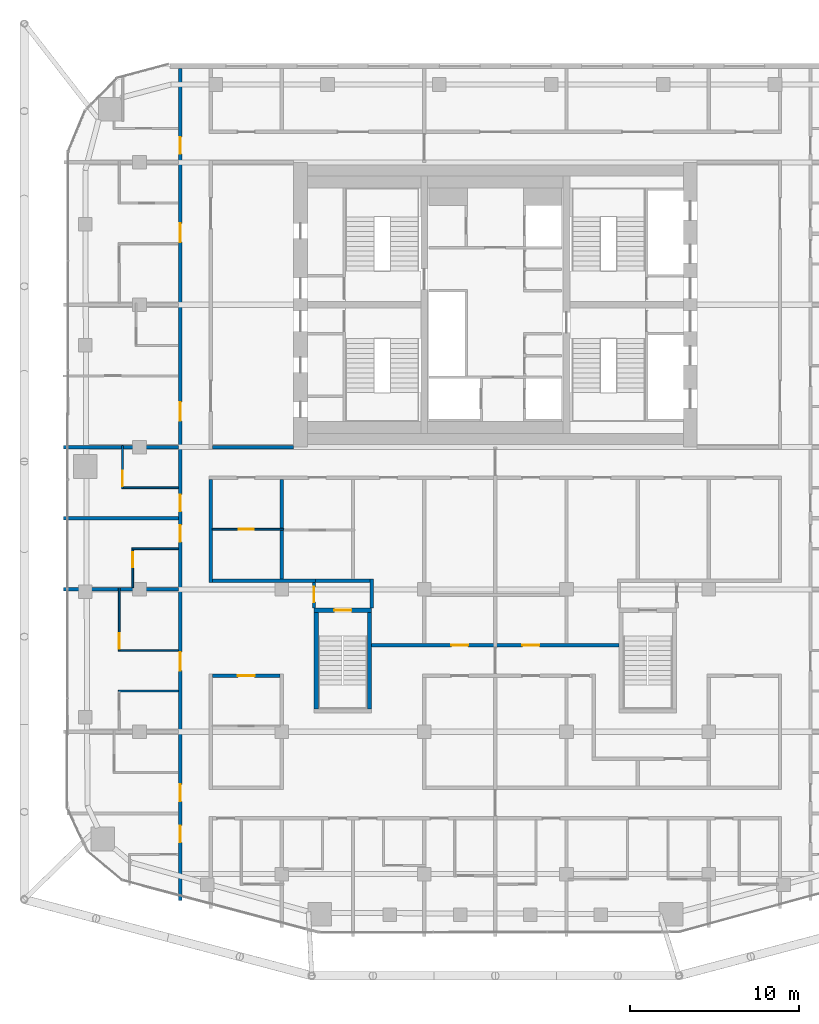
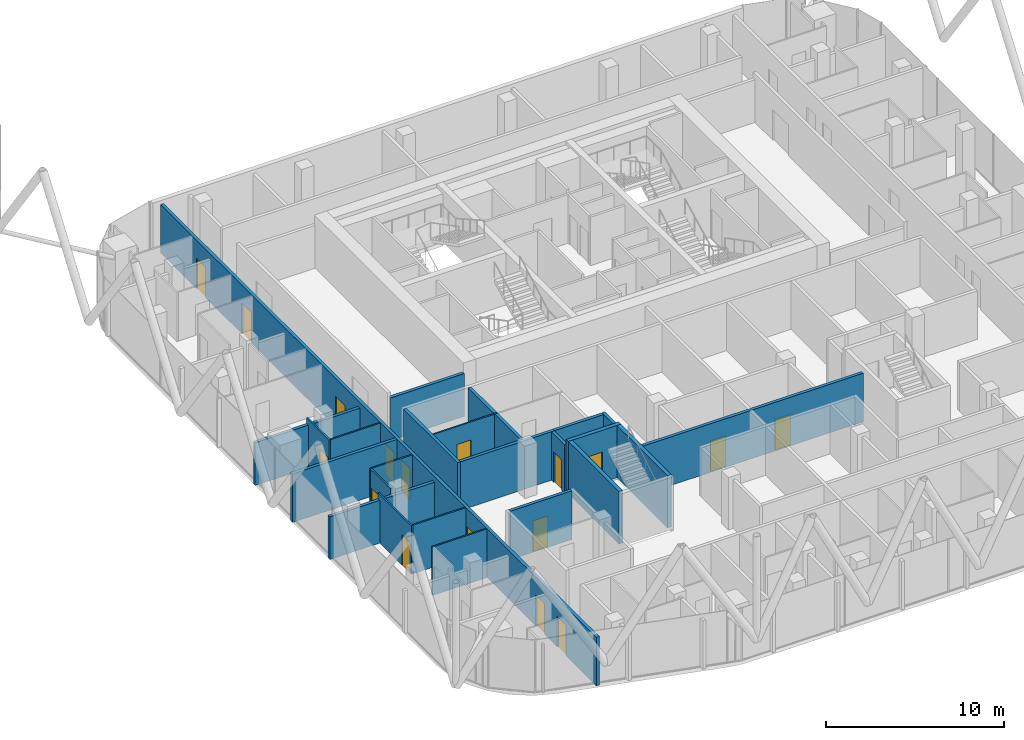
# One storey, part 21 of 28: 24 walls, 17 doors, 17 openings.
"""IFC4 building model written with IfcOpenShell, lengths in metres."""

import ifcopenshell
import ifcopenshell.guid

model = None  # the IFC model being written
_history = None  # IfcOwnerHistory: only IFC2X3 demands one
_inside = {}  # id of a spatial element -> (the spatial element, [elements in it])
_under = {}  # id of a project, library or spatial element -> (it, [spatial elements below it])
_declared = {}  # id of a project -> (the project, [libraries it declares])
_typed = {}  # id of a type object -> (the type object, [elements of that type])
_made_of = {}  # id of a material, layer set ... -> (it, [elements and type objects made of it])


def new_model(schema):
    """Start an empty IFC model of exactly this schema.

    Asked for "IFC4X3", IfcOpenShell would pick the latest addendum, in which some entities
    have other attributes; the version numbers below select the first issue.
    IFC2X3 requires an IfcOwnerHistory on every rooted entity: one is made here for all.
    """
    global model, _history
    if schema == "IFC4X3":
        model = ifcopenshell.file(schema_version=(4, 3, 0, 0))
    else:
        model = ifcopenshell.file(schema=schema)
    _inside.clear()
    _under.clear()
    _declared.clear()
    _typed.clear()
    _made_of.clear()
    _history = None
    if model.schema == "IFC2X3":
        org = make("IfcOrganization", Name="unknown")
        user = make(
            "IfcPersonAndOrganization",
            ThePerson=make("IfcPerson", FamilyName="unknown"),
            TheOrganization=org,
        )
        app = make(
            "IfcApplication",
            ApplicationDeveloper=org,
            Version="unknown",
            ApplicationFullName="unknown",
            ApplicationIdentifier="unknown",
        )
        _history = make(
            "IfcOwnerHistory",
            OwningUser=user,
            OwningApplication=app,
            ChangeAction="ADDED",
            CreationDate=0,
        )
    return model


def make(cls, **values):
    """One entity of the class cls with the attributes given. An attribute that is None is left unset."""
    return model.create_entity(
        cls, **{name: value for name, value in values.items() if value is not None}
    )


def rooted(cls, **values):
    """An entity with a GlobalId (a new one), such as an element, a storey or a relation."""
    return make(cls, GlobalId=ifcopenshell.guid.new(), OwnerHistory=_history, **values)


def si_unit(unit_type, name, prefix=None):
    """IfcSIUnit, for example si_unit("LENGTHUNIT", "METRE", prefix="MILLI")."""
    return make("IfcSIUnit", UnitType=unit_type, Prefix=prefix, Name=name)


def assignment(units):
    """IfcUnitAssignment: the units of a project."""
    return None if units is None else make("IfcUnitAssignment", Units=units)


def point(xyz):
    """IfcCartesianPoint."""
    return None if xyz is None else make("IfcCartesianPoint", Coordinates=xyz)


def direction(xyz):
    """IfcDirection."""
    return None if xyz is None else make("IfcDirection", DirectionRatios=xyz)


def frame(location, z_axis=None, x_axis=None):
    """IfcAxis2Placement3D, a coordinate frame: its origin and axes. An axis left out is left unset."""
    return make(
        "IfcAxis2Placement3D",
        Location=point(location),
        Axis=direction(z_axis),
        RefDirection=direction(x_axis),
    )


def frame_2d(location, x_axis=None):
    """IfcAxis2Placement2D, a coordinate frame in the plane: its origin and x axis."""
    return make(
        "IfcAxis2Placement2D", Location=point(location), RefDirection=direction(x_axis)
    )


def origin():
    """The frame at (0, 0, 0) with its axes left unset."""
    return frame((0.0, 0.0, 0.0))


def place(relative_to, where):
    """IfcLocalPlacement: puts the frame where relative to a parent placement (None: the world)."""
    return make(
        "IfcLocalPlacement", PlacementRelTo=relative_to, RelativePlacement=where
    )


def context(
    kind, dimensions, precision=None, world=None, true_north=None, identifier=None
):
    """IfcGeometricRepresentationContext, for example the 3D "Model" context."""
    return make(
        "IfcGeometricRepresentationContext",
        ContextIdentifier=identifier,
        ContextType=kind,
        CoordinateSpaceDimension=dimensions,
        Precision=precision,
        WorldCoordinateSystem=world,
        TrueNorth=true_north,
    )


def subcontext(parent, identifier, kind, view, scale=None):
    """IfcGeometricRepresentationSubContext, for example "Body" below "Model"."""
    return make(
        "IfcGeometricRepresentationSubContext",
        ContextIdentifier=identifier,
        ContextType=kind,
        ParentContext=parent,
        TargetScale=scale,
        TargetView=view,
    )


def project(units=None, contexts=None):
    """IfcProject with its units and contexts."""
    return rooted(
        "IfcProject",
        Name="project",
        RepresentationContexts=contexts,
        UnitsInContext=assignment(units),
    )


def spatial(cls, under=None, at=None, **own):
    """A site, building, storey or space (cls), placed at a placement, below another one or the project."""
    s = rooted(cls, ObjectPlacement=at, **own)
    if under is not None:
        _under.setdefault(under.id(), (under, []))[1].append(s)
    return s


def profile(cls, at=None, kind="AREA", **sizes):
    """A parametric profile (cls). Its sizes go by their IFC names, for example OverallWidth=200.0."""
    return make(cls, ProfileType=kind, Position=at, **sizes)


def rectangle(**sizes):
    """IfcRectangleProfileDef."""
    return profile("IfcRectangleProfileDef", **sizes)


def extrude(swept, where, along, depth):
    """IfcExtrudedAreaSolid: the profile swept, set in the frame where, extruded along a direction by depth."""
    return make(
        "IfcExtrudedAreaSolid",
        SweptArea=swept,
        Position=where,
        ExtrudedDirection=direction(along),
        Depth=depth,
    )


def shape(context_of_items, identifier, shape_type, items):
    """IfcShapeRepresentation: the items that make up one representation, for example the "Body"."""
    return make(
        "IfcShapeRepresentation",
        ContextOfItems=context_of_items,
        RepresentationIdentifier=identifier,
        RepresentationType=shape_type,
        Items=items,
    )


def material(Name=None, Category=None):
    """IfcMaterial."""
    return make("IfcMaterial", Name=Name, Category=Category)


def layer(
    of_material, thickness, ventilated=None, Name=None, Category=None, Priority=None
):
    """IfcMaterialLayer: one layer of a wall or slab, of a material (None: an air gap)."""
    return make(
        "IfcMaterialLayer",
        Material=of_material,
        LayerThickness=thickness,
        IsVentilated=ventilated,
        Name=Name,
        Category=Category,
        Priority=Priority,
    )


def layer_set(layers, Name=None):
    """IfcMaterialLayerSet."""
    return make("IfcMaterialLayerSet", MaterialLayers=layers, LayerSetName=Name)


def made_of(thing, what):
    """Note that an element or type object is made of a material, layer set ...; save() writes the relation."""
    if what is not None:
        _made_of.setdefault(what.id(), (what, []))[1].append(thing)
    return thing


def type_object(cls, material=None, **own):
    """A type object (cls), such as IfcWallType, which elements share."""
    return made_of(rooted(cls, **own), material)


def element(
    cls,
    number,
    at=None,
    inside=None,
    cuts=None,
    type_object=None,
    material=None,
    context=None,
    identifier="Body",
    shape_type=None,
    held_by="IfcProductDefinitionShape",
    body=None,
    shapes=None,
    **own,
):
    """One element of the class cls, such as IfcWall. Its Tag is "e" and its number.

    at: its placement. inside: the storey or other place that contains it. cuts: it is an
    opening in that element (IfcRelVoidsElement). A single representation is given by context,
    identifier, shape_type and body (its items); several are given by shapes. held_by: the class
    of the entity that holds the representations. save() writes the other relations.
    """
    e = rooted(cls, Tag="e%d" % number, ObjectPlacement=at, **own)
    if body is not None:
        shapes = [shape(context, identifier, shape_type, body)]
    if shapes is not None:
        e.Representation = make(held_by, Representations=shapes)
    if inside is not None:
        _inside.setdefault(inside.id(), (inside, []))[1].append(e)
    if cuts is not None:
        rooted(
            "IfcRelVoidsElement", RelatingBuildingElement=cuts, RelatedOpeningElement=e
        )
    if type_object is not None:
        _typed.setdefault(type_object.id(), (type_object, []))[1].append(e)
    return made_of(e, material)


def fill(opening, filler):
    """IfcRelFillsElement: the door or window that sits in an opening."""
    return rooted(
        "IfcRelFillsElement",
        RelatingOpeningElement=opening,
        RelatedBuildingElement=filler,
    )


def aggregate(whole, parts):
    """IfcRelAggregates: a whole, such as a stair, and the parts it consists of."""
    return rooted("IfcRelAggregates", RelatingObject=whole, RelatedObjects=parts)


def save(model, path):
    """Write the relations noted so far, then the file.

    IfcRelAggregates (storeys below a building ...), IfcRelContainedInSpatialStructure (elements
    in a storey), IfcRelDefinesByType, IfcRelAssociatesMaterial and IfcRelDeclares: one each for
    every whole, place, type object, material and project.
    """
    for whole, parts in _under.values():
        aggregate(whole, parts)
    for where, things in _inside.values():
        rooted(
            "IfcRelContainedInSpatialStructure",
            RelatedElements=things,
            RelatingStructure=where,
        )
    for kind, things in _typed.values():
        rooted("IfcRelDefinesByType", RelatedObjects=things, RelatingType=kind)
    for what, things in _made_of.values():
        rooted("IfcRelAssociatesMaterial", RelatedObjects=things, RelatingMaterial=what)
    for by, libraries in _declared.values():
        rooted("IfcRelDeclares", RelatingContext=by, RelatedDefinitions=libraries)
    model.write(path)


model = new_model("IFC4")

# Units and contexts
model_context = context("Model", 3, precision=1e-05, world=origin(), true_north=direction((0.0, 1.0)))
body_context = subcontext(model_context, "Body", "Model", "MODEL_VIEW")
ifc_project = project(units=[si_unit("LENGTHUNIT", "METRE"), si_unit("AREAUNIT", "SQUARE_METRE"), si_unit("VOLUMEUNIT", "CUBIC_METRE"), si_unit("PLANEANGLEUNIT", "RADIAN"), si_unit("MASSUNIT", "GRAM", prefix="KILO")], contexts=[model_context])

# Site, building, storey
site_placement = place(None, origin())
site = spatial("IfcSite", under=ifc_project, at=site_placement, CompositionType="ELEMENT")
building_placement = place(site_placement, origin())
building = spatial("IfcBuilding", under=site, at=building_placement, Name="Marenta Gate Hotel Tower", CompositionType="ELEMENT")
storey_placement = place(building_placement, frame((0.0, 0.0, 212.89990234375)))
storey = spatial("IfcBuildingStorey", under=building, at=storey_placement, Name="L49", CompositionType="ELEMENT", Elevation=212.89990234375)

# Wall
ifc_material_1 = material(Name="Concrete blockwork", Category="masonry")
ifc_layer_1 = layer(ifc_material_1, 0.199951171875)
ifc_layer_set_1 = layer_set([ifc_layer_1], Name="Concrete blockwork")
wall_type_1 = type_object("IfcWallType", Name="Core boundary wall 200 REI 180", PredefinedType="PARTITIONING", material=ifc_layer_set_1)
wall_1_placement = place(storey_placement, frame((-16.699951171875, 0.0, 0.0), z_axis=(0.0, 0.0, 1.0), x_axis=(1.0, 0.0, 0.0)))
element("IfcWall", 1, at=wall_1_placement, inside=storey, type_object=wall_type_1, Name="L49-CP-EW-WS", PredefinedType="PARTITIONING", context=body_context, shape_type="SweptSolid", body=[
    extrude(rectangle(XDim=4.800048828125, YDim=0.199951171875, at=frame_2d((2.39990234375, 0.0))), origin(), (0.0, 0.0, 1.0), 2.940185546875),
])

# Wall, opening, door
ifc_material_2 = material(Name="Concrete C40", Category="concrete")
ifc_layer_2 = layer(ifc_material_2, 0.25)
ifc_layer_set_2 = layer_set([ifc_layer_2], Name="Concrete C40")
wall_type_2 = type_object("IfcWallType", Name="Remote stair enclosure wall 250 REI 180", PredefinedType="SHEAR", material=ifc_layer_set_2)
wall_2_placement = place(storey_placement, frame((-10.699951171875, -9.625, 0.10009765625), z_axis=(0.0, 0.0, 1.0), x_axis=(1.0, 0.0, 0.0)))
wall_2 = element("IfcWall", 2, at=wall_2_placement, inside=storey, type_object=wall_type_2, Name="L49-RS-Z3-1-W2", PredefinedType="SHEAR", context=body_context, shape_type="SweptSolid", body=[
    extrude(rectangle(XDim=3.39990234375, YDim=0.25, at=frame_2d((1.699951171875, 0.0))), origin(), (0.0, 0.0, 1.0), 3.60009765625),
])
opening_1_placement = place(wall_2_placement, frame((1.199951171875, 0.0, 0.0)))
opening_1 = element("IfcOpeningElement", 3, at=opening_1_placement, cuts=wall_2, Name="Opening VD", PredefinedType="OPENING", context=body_context, shape_type="SweptSolid", body=[
    extrude(rectangle(XDim=1.0, YDim=2.10009765625, at=frame_2d((0.5, 1.050048828125))), frame((0.0, 0.125, 0.0), z_axis=(0.0, -1.0, 0.0), x_axis=(1.0, 0.0, 0.0)), (0.0, 0.0, 1.0), 0.25),
])
ifc_material_3 = material(Name="Steel", Category="steel")
door_type_1 = type_object("IfcDoorType", Name="Stair vestibule door 1000x2100 FD60", OperationType="SINGLE_SWING_LEFT", PredefinedType="DOOR", material=ifc_material_3)
door_1_placement = place(opening_1_placement, origin())
door_1 = element("IfcDoor", 4, at=door_1_placement, inside=storey, type_object=door_type_1, Name="VD", OperationType="SINGLE_SWING_LEFT", OverallHeight=2.10009765625, OverallWidth=1.0, PredefinedType="DOOR", context=body_context, shape_type="SweptSolid", body=[
    extrude(rectangle(XDim=1.0, YDim=2.10009765625, at=frame_2d((0.5, 1.050048828125))), frame((0.0, 0.02490234375, 0.0), z_axis=(0.0, -1.0, 0.0), x_axis=(1.0, 0.0, 0.0)), (0.0, 0.0, 1.0), 0.050048828125),
])
fill(opening_1, door_1)

# Walls
for number, where, z_axis, x_axis, name in (
    (5, (-10.574951171875, -15.449951171875, 0.10009765625), (0.0, 0.0, 1.0), (0.0, 1.0, 0.0), "L49-RS-Z3-1-W3"),
    (6, (-7.425048828125, -15.449951171875, 0.10009765625), (0.0, 0.0, 1.0), (0.0, 1.0, 0.0), "L49-RS-Z3-1-W4"),
):
    element("IfcWall", number, at=place(storey_placement, frame(where, z_axis=z_axis, x_axis=x_axis)), inside=storey, type_object=wall_type_2, Name=name, PredefinedType="SHEAR", context=body_context, shape_type="SweptSolid", body=[
        extrude(rectangle(XDim=5.699951171875, YDim=0.25, at=frame_2d((2.85009765625, 0.0))), origin(), (0.0, 0.0, 1.0), 3.60009765625),
    ])

# Wall, opening, door
ifc_material_4 = material(Name="Concrete blockwork", Category="masonry")
ifc_layer_3 = layer(ifc_material_4, 0.199951171875)
ifc_layer_set_3 = layer_set([ifc_layer_3], Name="Concrete blockwork")
wall_type_3 = type_object("IfcWallType", Name="Room corridor wall 200 EI 120", PredefinedType="PARTITIONING", material=ifc_layer_set_3)
wall_3_placement = place(storey_placement, frame((-16.699951171875, -13.5, 0.0), z_axis=(0.0, 0.0, 1.0), x_axis=(1.0, 0.0, 0.0)))
wall_3 = element("IfcWall", 7, at=wall_3_placement, inside=storey, type_object=wall_type_3, Name="L49-PTN-W041", PredefinedType="PARTITIONING", context=body_context, shape_type="SweptSolid", body=[
    extrude(rectangle(XDim=4.0, YDim=0.199951171875, at=frame_2d((2.0, 0.0))), origin(), (0.0, 0.0, 1.0), 3.340087890625),
])
opening_2_placement = place(wall_3_placement, frame((1.5, 0.0, 0.0)))
opening_2 = element("IfcOpeningElement", 8, at=opening_2_placement, cuts=wall_3, Name="Opening G17-09", PredefinedType="OPENING", context=body_context, shape_type="SweptSolid", body=[
    extrude(rectangle(XDim=1.0, YDim=2.10009765625, at=frame_2d((0.5, 1.050048828125))), frame((0.0, 0.10009765625, 0.0), z_axis=(0.0, -1.0, 0.0), x_axis=(1.0, 0.0, 0.0)), (0.0, 0.0, 1.0), 0.199951171875),
])
ifc_material_5 = material(Name="Hollow steel door set", Category="steel")
door_type_2 = type_object("IfcDoorType", Name="Room service door 1000x2100 EI 60", OperationType="NOTDEFINED", PredefinedType="DOOR", material=ifc_material_5)
door_2_placement = place(opening_2_placement, origin())
door_2 = element("IfcDoor", 9, at=door_2_placement, inside=storey, type_object=door_type_2, Name="L49-PD-D009", OperationType="SINGLE_SWING_LEFT", OverallHeight=2.10009765625, OverallWidth=1.0, PredefinedType="DOOR", context=body_context, shape_type="SweptSolid", body=[
    extrude(rectangle(XDim=1.0, YDim=2.10009765625, at=frame_2d((0.5, 1.050048828125))), frame((0.0, 0.02490234375, 0.0), z_axis=(0.0, -1.0, 0.0), x_axis=(1.0, 0.0, 0.0)), (0.0, 0.0, 1.0), 0.050048828125),
])
fill(opening_2, door_2)

# Wall
wall_4_placement = place(storey_placement, frame((-16.699951171875, -7.89990234375, 0.0), z_axis=(0.0, 0.0, 1.0), x_axis=(1.0, 0.0, 0.0)))
element("IfcWall", 10, at=wall_4_placement, inside=storey, type_object=wall_type_3, Name="L49-PTN-W059", PredefinedType="PARTITIONING", context=body_context, shape_type="SweptSolid", body=[
    extrude(rectangle(XDim=6.099853515625, YDim=0.199951171875, at=frame_2d((3.0498046875, 0.0))), origin(), (0.0, 0.0, 1.0), 3.340087890625),
])

# Wall, openings, doors
ifc_material_6 = material(Name="Gypsum board on steel stud", Category="steel")
ifc_layer_4 = layer(ifc_material_6, 0.199951171875)
ifc_layer_set_4 = layer_set([ifc_layer_4], Name="Gypsum board on steel stud")
wall_type_4 = type_object("IfcWallType", Name="Room corridor wall 200 EI 60", PredefinedType="PARTITIONING", material=ifc_layer_set_4)
wall_5_placement = place(storey_placement, frame((-7.300048828125, -11.699951171875, 0.0), z_axis=(0.0, 0.0, 1.0), x_axis=(1.0, 0.0, 0.0)))
wall_5 = element("IfcWall", 11, at=wall_5_placement, inside=storey, type_object=wall_type_4, Name="L49-PTN-W051", PredefinedType="PARTITIONING", context=body_context, shape_type="SweptSolid", body=[
    extrude(rectangle(XDim=14.60009765625, YDim=0.199951171875, at=frame_2d((7.300048828125, 0.0))), origin(), (0.0, 0.0, 1.0), 3.340087890625),
])
opening_3_placement = place(wall_5_placement, frame((4.699951171875, 0.0, 0.0)))
opening_3 = element("IfcOpeningElement", 12, at=opening_3_placement, cuts=wall_5, Name="Opening G17-77", PredefinedType="OPENING", context=body_context, shape_type="SweptSolid", body=[
    extrude(rectangle(XDim=1.0, YDim=2.10009765625, at=frame_2d((0.5, 1.050048828125))), frame((0.0, 0.10009765625, 0.0), z_axis=(0.0, -1.0, 0.0), x_axis=(1.0, 0.0, 0.0)), (0.0, 0.0, 1.0), 0.199951171875),
])
opening_4_placement = place(wall_5_placement, frame((8.89990234375, 0.0, 0.0)))
opening_4 = element("IfcOpeningElement", 13, at=opening_4_placement, cuts=wall_5, Name="Opening G17-79", PredefinedType="OPENING", context=body_context, shape_type="SweptSolid", body=[
    extrude(rectangle(XDim=1.0, YDim=2.10009765625, at=frame_2d((0.5, 1.050048828125))), frame((0.0, 0.10009765625, 0.0), z_axis=(0.0, -1.0, 0.0), x_axis=(1.0, 0.0, 0.0)), (0.0, 0.0, 1.0), 0.199951171875),
])
ifc_material_7 = material(Name="Timber door leaf", Category="wood")
door_type_3 = type_object("IfcDoorType", Name="Room amenity door 1000x2100 EI 30", OperationType="NOTDEFINED", PredefinedType="DOOR", material=ifc_material_7)
door_3_placement = place(opening_3_placement, origin())
door_3 = element("IfcDoor", 14, at=door_3_placement, inside=storey, type_object=door_type_3, Name="L49-PD-D077", OperationType="SINGLE_SWING_LEFT", OverallHeight=2.10009765625, OverallWidth=1.0, PredefinedType="DOOR", context=body_context, shape_type="SweptSolid", body=[
    extrude(rectangle(XDim=1.0, YDim=2.10009765625, at=frame_2d((0.5, 1.050048828125))), frame((0.0, 0.02490234375, 0.0), z_axis=(0.0, -1.0, 0.0), x_axis=(1.0, 0.0, 0.0)), (0.0, 0.0, 1.0), 0.050048828125),
])
fill(opening_3, door_3)
door_4_placement = place(opening_4_placement, origin())
door_4 = element("IfcDoor", 15, at=door_4_placement, inside=storey, type_object=door_type_3, Name="L49-PD-D079", OperationType="SINGLE_SWING_LEFT", OverallHeight=2.10009765625, OverallWidth=1.0, PredefinedType="DOOR", context=body_context, shape_type="SweptSolid", body=[
    extrude(rectangle(XDim=1.0, YDim=2.10009765625, at=frame_2d((0.5, 1.050048828125))), frame((0.0, 0.02490234375, 0.0), z_axis=(0.0, -1.0, 0.0), x_axis=(1.0, 0.0, 0.0)), (0.0, 0.0, 1.0), 0.050048828125),
])
fill(opening_4, door_4)

# Wall
wall_6_placement = place(storey_placement, frame((-16.800048828125, -8.0, 0.0), z_axis=(0.0, 0.0, 1.0), x_axis=(0.0, 1.0, 0.0)))
element("IfcWall", 16, at=wall_6_placement, inside=storey, type_object=wall_type_4, Name="L49-PTN-W114", PredefinedType="PARTITIONING", context=body_context, shape_type="SweptSolid", body=[
    extrude(rectangle(XDim=6.10009765625, YDim=0.199951171875, at=frame_2d((3.050048828125, 0.0))), origin(), (0.0, 0.0, 1.0), 3.340087890625),
])

# Wall, openings, doors
wall_7_placement = place(storey_placement, frame((-18.60009765625, -26.7509765625, 0.0), z_axis=(0.0, 0.0, 1.0), x_axis=(0.0, 1.0, 0.0)))
wall_7 = element("IfcWall", 17, at=wall_7_placement, inside=storey, type_object=wall_type_4, Name="L49-PTN-W118", PredefinedType="PARTITIONING", context=body_context, shape_type="SweptSolid", body=[
    extrude(rectangle(XDim=49.091064453125, YDim=0.199951171875, at=frame_2d((24.54541015625, 0.0))), origin(), (0.0, 0.0, 1.0), 3.340087890625),
])
opening_5_placement = place(wall_7_placement, frame((3.4130859375, 0.0, 0.0)))
opening_5 = element("IfcOpeningElement", 18, at=opening_5_placement, cuts=wall_7, Name="Opening G17-56", PredefinedType="OPENING", context=body_context, shape_type="SweptSolid", body=[
    extrude(rectangle(XDim=1.0, YDim=2.10009765625, at=frame_2d((0.5, 1.050048828125))), frame((0.0, 0.10009765625, 0.0), z_axis=(0.0, -1.0, 0.0), x_axis=(1.0, 0.0, 0.0)), (0.0, 0.0, 1.0), 0.199951171875),
])
opening_6_placement = place(wall_7_placement, frame((5.837890625, 0.0, 0.0)))
opening_6 = element("IfcOpeningElement", 19, at=opening_6_placement, cuts=wall_7, Name="Opening G17-58", PredefinedType="OPENING", context=body_context, shape_type="SweptSolid", body=[
    extrude(rectangle(XDim=1.0, YDim=2.10009765625, at=frame_2d((0.5, 1.050048828125))), frame((0.0, 0.10009765625, 0.0), z_axis=(0.0, -1.0, 0.0), x_axis=(1.0, 0.0, 0.0)), (0.0, 0.0, 1.0), 0.199951171875),
])
opening_7_placement = place(wall_7_placement, frame((13.551025390625, 0.0, 0.0)))
opening_7 = element("IfcOpeningElement", 20, at=opening_7_placement, cuts=wall_7, Name="Opening G17-60", PredefinedType="OPENING", context=body_context, shape_type="SweptSolid", body=[
    extrude(rectangle(XDim=1.10009765625, YDim=2.10009765625, at=frame_2d((0.550048828125, 1.050048828125))), frame((0.0, 0.10009765625, 0.0), z_axis=(0.0, -1.0, 0.0), x_axis=(1.0, 0.0, 0.0)), (0.0, 0.0, 1.0), 0.199951171875),
])
opening_8_placement = place(wall_7_placement, frame((21.15087890625, 0.0, 0.0)))
opening_8 = element("IfcOpeningElement", 21, at=opening_8_placement, cuts=wall_7, Name="Opening G17-63", PredefinedType="OPENING", context=body_context, shape_type="SweptSolid", body=[
    extrude(rectangle(XDim=1.0, YDim=2.10009765625, at=frame_2d((0.5, 1.050048828125))), frame((0.0, 0.10009765625, 0.0), z_axis=(0.0, -1.0, 0.0), x_axis=(1.0, 0.0, 0.0)), (0.0, 0.0, 1.0), 0.199951171875),
])
opening_9_placement = place(wall_7_placement, frame((22.950927734375, 0.0, 0.0)))
opening_9 = element("IfcOpeningElement", 22, at=opening_9_placement, cuts=wall_7, Name="Opening G17-65", PredefinedType="OPENING", context=body_context, shape_type="SweptSolid", body=[
    extrude(rectangle(XDim=1.0, YDim=2.10009765625, at=frame_2d((0.5, 1.050048828125))), frame((0.0, 0.10009765625, 0.0), z_axis=(0.0, -1.0, 0.0), x_axis=(1.0, 0.0, 0.0)), (0.0, 0.0, 1.0), 0.199951171875),
])
opening_10_placement = place(wall_7_placement, frame((28.301025390625, 0.0, 0.0)))
opening_10 = element("IfcOpeningElement", 23, at=opening_10_placement, cuts=wall_7, Name="Opening G17-67", PredefinedType="OPENING", context=body_context, shape_type="SweptSolid", body=[
    extrude(rectangle(XDim=1.10009765625, YDim=2.10009765625, at=frame_2d((0.550048828125, 1.050048828125))), frame((0.0, 0.10009765625, 0.0), z_axis=(0.0, -1.0, 0.0), x_axis=(1.0, 0.0, 0.0)), (0.0, 0.0, 1.0), 0.199951171875),
])
opening_11_placement = place(wall_7_placement, frame((38.85107421875, 0.0, 0.0)))
opening_11 = element("IfcOpeningElement", 24, at=opening_11_placement, cuts=wall_7, Name="Opening G17-70", PredefinedType="OPENING", context=body_context, shape_type="SweptSolid", body=[
    extrude(rectangle(XDim=1.10009765625, YDim=2.10009765625, at=frame_2d((0.550048828125, 1.050048828125))), frame((0.0, 0.10009765625, 0.0), z_axis=(0.0, -1.0, 0.0), x_axis=(1.0, 0.0, 0.0)), (0.0, 0.0, 1.0), 0.199951171875),
])
opening_12_placement = place(wall_7_placement, frame((44.051025390625, 0.0, 0.0)))
opening_12 = element("IfcOpeningElement", 25, at=opening_12_placement, cuts=wall_7, Name="Opening G17-73", PredefinedType="OPENING", context=body_context, shape_type="SweptSolid", body=[
    extrude(rectangle(XDim=1.0, YDim=2.10009765625, at=frame_2d((0.5, 1.050048828125))), frame((0.0, 0.10009765625, 0.0), z_axis=(0.0, -1.0, 0.0), x_axis=(1.0, 0.0, 0.0)), (0.0, 0.0, 1.0), 0.199951171875),
])
ifc_material_8 = material(Name="Timber door leaf", Category="wood")
door_type_4 = type_object("IfcDoorType", Name="Guest room door 1000x2100 EI 30", OperationType="NOTDEFINED", PredefinedType="DOOR", material=ifc_material_8)
door_5_placement = place(opening_5_placement, origin())
door_5 = element("IfcDoor", 26, at=door_5_placement, inside=storey, type_object=door_type_4, Name="L49-PD-D056", OperationType="SINGLE_SWING_LEFT", OverallHeight=2.10009765625, OverallWidth=1.0, PredefinedType="DOOR", context=body_context, shape_type="SweptSolid", body=[
    extrude(rectangle(XDim=1.0, YDim=2.10009765625, at=frame_2d((0.5, 1.050048828125))), frame((0.0, 0.02490234375, 0.0), z_axis=(0.0, -1.0, 0.0), x_axis=(1.0, 0.0, 0.0)), (0.0, 0.0, 1.0), 0.050048828125),
])
fill(opening_5, door_5)
door_6_placement = place(opening_6_placement, origin())
door_6 = element("IfcDoor", 27, at=door_6_placement, inside=storey, type_object=door_type_4, Name="L49-PD-D058", OperationType="SINGLE_SWING_LEFT", OverallHeight=2.10009765625, OverallWidth=1.0, PredefinedType="DOOR", context=body_context, shape_type="SweptSolid", body=[
    extrude(rectangle(XDim=1.0, YDim=2.10009765625, at=frame_2d((0.5, 1.050048828125))), frame((0.0, 0.02490234375, 0.0), z_axis=(0.0, -1.0, 0.0), x_axis=(1.0, 0.0, 0.0)), (0.0, 0.0, 1.0), 0.050048828125),
])
fill(opening_6, door_6)
door_7_placement = place(opening_8_placement, origin())
door_7 = element("IfcDoor", 28, at=door_7_placement, inside=storey, type_object=door_type_4, Name="L49-PD-D063", OperationType="SINGLE_SWING_RIGHT", OverallHeight=2.10009765625, OverallWidth=1.0, PredefinedType="DOOR", context=body_context, shape_type="SweptSolid", body=[
    extrude(rectangle(XDim=1.0, YDim=2.10009765625, at=frame_2d((0.5, 1.050048828125))), frame((0.0, 0.02490234375, 0.0), z_axis=(0.0, -1.0, 0.0), x_axis=(1.0, 0.0, 0.0)), (0.0, 0.0, 1.0), 0.050048828125),
])
fill(opening_8, door_7)
door_8_placement = place(opening_9_placement, origin())
door_8 = element("IfcDoor", 29, at=door_8_placement, inside=storey, type_object=door_type_4, Name="L49-PD-D065", OperationType="SINGLE_SWING_RIGHT", OverallHeight=2.10009765625, OverallWidth=1.0, PredefinedType="DOOR", context=body_context, shape_type="SweptSolid", body=[
    extrude(rectangle(XDim=1.0, YDim=2.10009765625, at=frame_2d((0.5, 1.050048828125))), frame((0.0, 0.02490234375, 0.0), z_axis=(0.0, -1.0, 0.0), x_axis=(1.0, 0.0, 0.0)), (0.0, 0.0, 1.0), 0.050048828125),
])
fill(opening_9, door_8)
door_9_placement = place(opening_12_placement, origin())
door_9 = element("IfcDoor", 30, at=door_9_placement, inside=storey, type_object=door_type_4, Name="L49-PD-D073", OperationType="SINGLE_SWING_RIGHT", OverallHeight=2.10009765625, OverallWidth=1.0, PredefinedType="DOOR", context=body_context, shape_type="SweptSolid", body=[
    extrude(rectangle(XDim=1.0, YDim=2.10009765625, at=frame_2d((0.5, 1.050048828125))), frame((0.0, 0.02490234375, 0.0), z_axis=(0.0, -1.0, 0.0), x_axis=(1.0, 0.0, 0.0)), (0.0, 0.0, 1.0), 0.050048828125),
])
fill(opening_12, door_9)
ifc_material_9 = material(Name="Timber door leaf", Category="wood")
door_type_5 = type_object("IfcDoorType", Name="Guest room door 1100x2100 EI 30", OperationType="NOTDEFINED", PredefinedType="DOOR", material=ifc_material_9)
door_10_placement = place(opening_7_placement, origin())
door_10 = element("IfcDoor", 31, at=door_10_placement, inside=storey, type_object=door_type_5, Name="L49-PD-D060", OperationType="SINGLE_SWING_RIGHT", OverallHeight=2.10009765625, OverallWidth=1.10009765625, PredefinedType="DOOR", context=body_context, shape_type="SweptSolid", body=[
    extrude(rectangle(XDim=1.10009765625, YDim=2.10009765625, at=frame_2d((0.550048828125, 1.050048828125))), frame((0.0, 0.02490234375, 0.0), z_axis=(0.0, -1.0, 0.0), x_axis=(1.0, 0.0, 0.0)), (0.0, 0.0, 1.0), 0.050048828125),
])
fill(opening_7, door_10)
door_11_placement = place(opening_10_placement, origin())
door_11 = element("IfcDoor", 32, at=door_11_placement, inside=storey, type_object=door_type_5, Name="L49-PD-D067", OperationType="SINGLE_SWING_RIGHT", OverallHeight=2.10009765625, OverallWidth=1.10009765625, PredefinedType="DOOR", context=body_context, shape_type="SweptSolid", body=[
    extrude(rectangle(XDim=1.10009765625, YDim=2.10009765625, at=frame_2d((0.550048828125, 1.050048828125))), frame((0.0, 0.02490234375, 0.0), z_axis=(0.0, -1.0, 0.0), x_axis=(1.0, 0.0, 0.0)), (0.0, 0.0, 1.0), 0.050048828125),
])
fill(opening_10, door_11)
door_12_placement = place(opening_11_placement, origin())
door_12 = element("IfcDoor", 33, at=door_12_placement, inside=storey, type_object=door_type_5, Name="L49-PD-D070", OperationType="SINGLE_SWING_LEFT", OverallHeight=2.10009765625, OverallWidth=1.10009765625, PredefinedType="DOOR", context=body_context, shape_type="SweptSolid", body=[
    extrude(rectangle(XDim=1.10009765625, YDim=2.10009765625, at=frame_2d((0.550048828125, 1.050048828125))), frame((0.0, 0.02490234375, 0.0), z_axis=(0.0, -1.0, 0.0), x_axis=(1.0, 0.0, 0.0)), (0.0, 0.0, 1.0), 0.050048828125),
])
fill(opening_11, door_12)

# Wall, opening, door
ifc_material_10 = material(Name="Concrete blockwork", Category="masonry")
ifc_layer_5 = layer(ifc_material_10, 0.199951171875)
ifc_layer_set_5 = layer_set([ifc_layer_5], Name="Concrete blockwork")
wall_type_5 = type_object("IfcWallType", Name="Room corridor wall 200 REI 180", PredefinedType="PARTITIONING", material=ifc_layer_set_5)
wall_8_placement = place(storey_placement, frame((-10.699951171875, -9.5, 0.0), z_axis=(0.0, 0.0, 1.0), x_axis=(0.0, 1.0, 0.0)))
wall_8 = element("IfcWall", 34, at=wall_8_placement, inside=storey, type_object=wall_type_5, Name="L49-PTN-W101", PredefinedType="PARTITIONING", context=body_context, shape_type="SweptSolid", body=[
    extrude(rectangle(XDim=1.5, YDim=0.199951171875, at=frame_2d((0.75, 0.0))), origin(), (0.0, 0.0, 1.0), 3.340087890625),
])
opening_13_placement = place(wall_8_placement, frame((0.35009765625, 0.0, 0.0)))
opening_13 = element("IfcOpeningElement", 35, at=opening_13_placement, cuts=wall_8, Name="Opening G17-75", PredefinedType="OPENING", context=body_context, shape_type="SweptSolid", body=[
    extrude(rectangle(XDim=0.89990234375, YDim=2.10009765625, at=frame_2d((0.449951171875, 1.050048828125))), frame((0.0, 0.10009765625, 0.0), z_axis=(0.0, -1.0, 0.0), x_axis=(1.0, 0.0, 0.0)), (0.0, 0.0, 1.0), 0.199951171875),
])
ifc_material_11 = material(Name="Hollow steel door set", Category="steel")
door_type_6 = type_object("IfcDoorType", Name="Stair vestibule door 900x2100 EI 60", OperationType="NOTDEFINED", PredefinedType="DOOR", material=ifc_material_11)
door_13_placement = place(opening_13_placement, origin())
door_13 = element("IfcDoor", 36, at=door_13_placement, inside=storey, type_object=door_type_6, Name="L49-PD-D075", OperationType="SINGLE_SWING_LEFT", OverallHeight=2.10009765625, OverallWidth=0.89990234375, PredefinedType="DOOR", context=body_context, shape_type="SweptSolid", body=[
    extrude(rectangle(XDim=0.89990234375, YDim=2.10009765625, at=frame_2d((0.449951171875, 1.050048828125))), frame((0.0, 0.02490234375, 0.0), z_axis=(0.0, -1.0, 0.0), x_axis=(1.0, 0.0, 0.0)), (0.0, 0.0, 1.0), 0.050048828125),
])
fill(opening_13, door_13)

# Walls
ifc_material_12 = material(Name="Gypsum board on steel stud", Category="steel")
ifc_layer_6 = layer(ifc_material_12, 0.10009765625)
ifc_layer_set_6 = layer_set([ifc_layer_6], Name="Gypsum board on steel stud")
wall_type_6 = type_object("IfcWallType", Name="Room partition 100", PredefinedType="PARTITIONING", material=ifc_layer_set_6)
wall_9_placement = place(storey_placement, frame((-22.25, -14.39990234375, 0.0), z_axis=(0.0, 0.0, 1.0), x_axis=(1.0, 0.0, 0.0)))
element("IfcWall", 37, at=wall_9_placement, inside=storey, type_object=wall_type_6, Name="L49-PTN-W039", PredefinedType="PARTITIONING", context=body_context, shape_type="SweptSolid", body=[
    extrude(rectangle(XDim=3.550048828125, YDim=0.10009765625, at=frame_2d((1.77490234375, 0.0))), origin(), (0.0, 0.0, 1.0), 3.340087890625),
])
wall_10_placement = place(storey_placement, frame((-22.14990234375, -12.0, 0.0), z_axis=(0.0, 0.0, 1.0), x_axis=(1.0, 0.0, 0.0)))
element("IfcWall", 38, at=wall_10_placement, inside=storey, type_object=wall_type_6, Name="L49-PTN-W049", PredefinedType="PARTITIONING", context=body_context, shape_type="SweptSolid", body=[
    extrude(rectangle(XDim=3.449951171875, YDim=0.10009765625, at=frame_2d((1.72509765625, 0.0))), origin(), (0.0, 0.0, 1.0), 3.340087890625),
])
wall_11_placement = place(storey_placement, frame((-21.449951171875, -6.0, 0.0), z_axis=(0.0, 0.0, 1.0), x_axis=(1.0, 0.0, 0.0)))
element("IfcWall", 39, at=wall_11_placement, inside=storey, type_object=wall_type_6, Name="L49-PTN-W065", PredefinedType="PARTITIONING", context=body_context, shape_type="SweptSolid", body=[
    extrude(rectangle(XDim=2.75, YDim=0.10009765625, at=frame_2d((1.375, 0.0))), origin(), (0.0, 0.0, 1.0), 3.340087890625),
])

# Wall, opening, door
wall_12_placement = place(storey_placement, frame((-16.699951171875, -4.85009765625, 0.0), z_axis=(0.0, 0.0, 1.0), x_axis=(1.0, 0.0, 0.0)))
wall_12 = element("IfcWall", 40, at=wall_12_placement, inside=storey, type_object=wall_type_6, Name="L49-PTN-W069", PredefinedType="PARTITIONING", context=body_context, shape_type="SweptSolid", body=[
    extrude(rectangle(XDim=4.199951171875, YDim=0.10009765625, at=frame_2d((2.10009765625, 0.0))), origin(), (0.0, 0.0, 1.0), 3.340087890625),
])
opening_14_placement = place(wall_12_placement, frame((1.550048828125, 0.0, 0.0)))
opening_14 = element("IfcOpeningElement", 41, at=opening_14_placement, cuts=wall_12, Name="Opening G17-02", PredefinedType="OPENING", context=body_context, shape_type="SweptSolid", body=[
    extrude(rectangle(XDim=0.89990234375, YDim=2.10009765625, at=frame_2d((0.449951171875, 1.050048828125))), frame((0.0, 0.050048828125, 0.0), z_axis=(0.0, -1.0, 0.0), x_axis=(1.0, 0.0, 0.0)), (0.0, 0.0, 1.0), 0.10009765625),
])
ifc_material_13 = material(Name="Timber door leaf", Category="wood")
door_type_7 = type_object("IfcDoorType", Name="Room inner door 900x2100", OperationType="NOTDEFINED", PredefinedType="DOOR", material=ifc_material_13)
door_14_placement = place(opening_14_placement, origin())
door_14 = element("IfcDoor", 42, at=door_14_placement, inside=storey, type_object=door_type_7, Name="L49-PD-D002", OperationType="SINGLE_SWING_RIGHT", OverallHeight=2.10009765625, OverallWidth=0.89990234375, PredefinedType="DOOR", context=body_context, shape_type="SweptSolid", body=[
    extrude(rectangle(XDim=0.89990234375, YDim=2.10009765625, at=frame_2d((0.449951171875, 1.050048828125))), frame((0.0, 0.02490234375, 0.0), z_axis=(0.0, -1.0, 0.0), x_axis=(1.0, 0.0, 0.0)), (0.0, 0.0, 1.0), 0.050048828125),
])
fill(opening_14, door_14)

# Wall
wall_13_placement = place(storey_placement, frame((-21.949951171875, -2.39990234375, 0.0), z_axis=(0.0, 0.0, 1.0), x_axis=(1.0, 0.0, 0.0)))
element("IfcWall", 43, at=wall_13_placement, inside=storey, type_object=wall_type_6, Name="L49-PTN-W077", PredefinedType="PARTITIONING", context=body_context, shape_type="SweptSolid", body=[
    extrude(rectangle(XDim=3.25, YDim=0.10009765625, at=frame_2d((1.625, 0.0))), origin(), (0.0, 0.0, 1.0), 3.340087890625),
])

# Wall, opening, door
wall_14_placement = place(storey_placement, frame((-21.39990234375, -8.300048828125, 0.0), z_axis=(0.0, 0.0, 1.0), x_axis=(0.0, 1.0, 0.0)))
wall_14 = element("IfcWall", 44, at=wall_14_placement, inside=storey, type_object=wall_type_6, Name="L49-PTN-W123", PredefinedType="PARTITIONING", context=body_context, shape_type="SweptSolid", body=[
    extrude(rectangle(XDim=2.25, YDim=0.10009765625, at=frame_2d((1.125, 0.0))), origin(), (0.0, 0.0, 1.0), 3.340087890625),
])
opening_15_placement = place(wall_14_placement, frame((1.199951171875, 0.0, 0.0)))
opening_15 = element("IfcOpeningElement", 45, at=opening_15_placement, cuts=wall_14, Name="Opening G17-64", PredefinedType="OPENING", context=body_context, shape_type="SweptSolid", body=[
    extrude(rectangle(XDim=0.89990234375, YDim=2.10009765625, at=frame_2d((0.449951171875, 1.050048828125))), frame((0.0, 0.050048828125, 0.0), z_axis=(0.0, -1.0, 0.0), x_axis=(1.0, 0.0, 0.0)), (0.0, 0.0, 1.0), 0.10009765625),
])
ifc_material_14 = material(Name="Timber door leaf", Category="wood")
door_type_8 = type_object("IfcDoorType", Name="Guest bathroom door 900x2100", OperationType="NOTDEFINED", PredefinedType="DOOR", material=ifc_material_14)
door_15_placement = place(opening_15_placement, origin())
door_15 = element("IfcDoor", 46, at=door_15_placement, inside=storey, type_object=door_type_8, Name="L49-PD-D064", OperationType="SINGLE_SWING_LEFT", OverallHeight=2.10009765625, OverallWidth=0.89990234375, PredefinedType="DOOR", context=body_context, shape_type="SweptSolid", body=[
    extrude(rectangle(XDim=0.89990234375, YDim=2.10009765625, at=frame_2d((0.449951171875, 1.050048828125))), frame((0.0, 0.02490234375, 0.0), z_axis=(0.0, -1.0, 0.0), x_axis=(1.0, 0.0, 0.0)), (0.0, 0.0, 1.0), 0.050048828125),
])
fill(opening_15, door_15)

wall_15_placement = place(storey_placement, frame((-22.0, -2.449951171875, 0.0), z_axis=(0.0, 0.0, 1.0), x_axis=(0.0, 1.0, 0.0)))
wall_15 = element("IfcWall", 47, at=wall_15_placement, inside=storey, type_object=wall_type_6, Name="L49-PTN-W125", PredefinedType="PARTITIONING", context=body_context, shape_type="SweptSolid", body=[
    extrude(rectangle(XDim=2.550048828125, YDim=0.10009765625, at=frame_2d((1.27490234375, 0.0))), origin(), (0.0, 0.0, 1.0), 3.340087890625),
])
opening_16_placement = place(wall_15_placement, frame((0.14990234375, 0.0, 0.0)))
opening_16 = element("IfcOpeningElement", 48, at=opening_16_placement, cuts=wall_15, Name="Opening G17-66", PredefinedType="OPENING", context=body_context, shape_type="SweptSolid", body=[
    extrude(rectangle(XDim=0.89990234375, YDim=2.10009765625, at=frame_2d((0.449951171875, 1.050048828125))), frame((0.0, 0.050048828125, 0.0), z_axis=(0.0, -1.0, 0.0), x_axis=(1.0, 0.0, 0.0)), (0.0, 0.0, 1.0), 0.10009765625),
])
door_16_placement = place(opening_16_placement, origin())
door_16 = element("IfcDoor", 49, at=door_16_placement, inside=storey, type_object=door_type_8, Name="L49-PD-D066", OperationType="SINGLE_SWING_RIGHT", OverallHeight=2.10009765625, OverallWidth=0.89990234375, PredefinedType="DOOR", context=body_context, shape_type="SweptSolid", body=[
    extrude(rectangle(XDim=0.89990234375, YDim=2.10009765625, at=frame_2d((0.449951171875, 1.050048828125))), frame((0.0, 0.02490234375, 0.0), z_axis=(0.0, -1.0, 0.0), x_axis=(1.0, 0.0, 0.0)), (0.0, 0.0, 1.0), 0.050048828125),
])
fill(opening_16, door_16)

wall_16_placement = place(storey_placement, frame((-22.199951171875, -12.050048828125, 0.0), z_axis=(0.0, 0.0, 1.0), x_axis=(0.0, 1.0, 0.0)))
wall_16 = element("IfcWall", 50, at=wall_16_placement, inside=storey, type_object=wall_type_6, Name="L49-PTN-W127", PredefinedType="PARTITIONING", context=body_context, shape_type="SweptSolid", body=[
    extrude(rectangle(XDim=3.75, YDim=0.10009765625, at=frame_2d((1.875, 0.0))), origin(), (0.0, 0.0, 1.0), 3.340087890625),
])
opening_17_placement = place(wall_16_placement, frame((0.14990234375, 0.0, 0.0)))
opening_17 = element("IfcOpeningElement", 51, at=opening_17_placement, cuts=wall_16, Name="Opening G17-61", PredefinedType="OPENING", context=body_context, shape_type="SweptSolid", body=[
    extrude(rectangle(XDim=0.89990234375, YDim=2.10009765625, at=frame_2d((0.449951171875, 1.050048828125))), frame((0.0, 0.050048828125, 0.0), z_axis=(0.0, -1.0, 0.0), x_axis=(1.0, 0.0, 0.0)), (0.0, 0.0, 1.0), 0.10009765625),
])
door_17_placement = place(opening_17_placement, origin())
door_17 = element("IfcDoor", 52, at=door_17_placement, inside=storey, type_object=door_type_8, Name="L49-PD-D061", OperationType="SINGLE_SWING_RIGHT", OverallHeight=2.10009765625, OverallWidth=0.89990234375, PredefinedType="DOOR", context=body_context, shape_type="SweptSolid", body=[
    extrude(rectangle(XDim=0.89990234375, YDim=2.10009765625, at=frame_2d((0.449951171875, 1.050048828125))), frame((0.0, 0.02490234375, 0.0), z_axis=(0.0, -1.0, 0.0), x_axis=(1.0, 0.0, 0.0)), (0.0, 0.0, 1.0), 0.050048828125),
])
fill(opening_17, door_17)

# Walls
ifc_material_15 = material(Name="Concrete blockwork", Category="masonry")
ifc_layer_7 = layer(ifc_material_15, 0.199951171875)
ifc_layer_set_7 = layer_set([ifc_layer_7], Name="Concrete blockwork")
wall_type_7 = type_object("IfcWallType", Name="Room party wall 200 EI 120", PredefinedType="PARTITIONING", material=ifc_layer_set_7)
wall_17_placement = place(storey_placement, frame((-12.60009765625, -7.800048828125, 0.0), z_axis=(0.0, 0.0, 1.0), x_axis=(0.0, 1.0, 0.0)))
element("IfcWall", 53, at=wall_17_placement, inside=storey, type_object=wall_type_7, Name="L49-PTN-W105", PredefinedType="PARTITIONING", context=body_context, shape_type="SweptSolid", body=[
    extrude(rectangle(XDim=5.900146484375, YDim=0.199951171875, at=frame_2d((2.9501953125, 0.0))), origin(), (0.0, 0.0, 1.0), 3.340087890625),
])
ifc_material_16 = material(Name="Gypsum board on steel stud", Category="steel")
ifc_layer_8 = layer(ifc_material_16, 0.199951171875)
ifc_layer_set_8 = layer_set([ifc_layer_8], Name="Gypsum board on steel stud")
wall_type_8 = type_object("IfcWallType", Name="Room party wall 200 EI 60", PredefinedType="PARTITIONING", material=ifc_layer_set_8)
wall_18_placement = place(storey_placement, frame((-25.5, -8.39990234375, 0.0), z_axis=(0.0, 0.0, 1.0), x_axis=(1.0, 0.0, 0.0)))
element("IfcWall", 54, at=wall_18_placement, inside=storey, type_object=wall_type_8, Name="L49-PTN-W057", PredefinedType="PARTITIONING", context=body_context, shape_type="SweptSolid", body=[
    extrude(rectangle(XDim=6.800048828125, YDim=0.199951171875, at=frame_2d((3.39990234375, 0.0))), origin(), (0.0, 0.0, 1.0), 2.940185546875),
])
wall_19_placement = place(storey_placement, frame((-25.5, -4.199951171875, 0.0), z_axis=(0.0, 0.0, 1.0), x_axis=(1.0, 0.0, 0.0)))
element("IfcWall", 55, at=wall_19_placement, inside=storey, type_object=wall_type_8, Name="L49-PTN-W074", PredefinedType="PARTITIONING", context=body_context, shape_type="SweptSolid", body=[
    extrude(rectangle(XDim=6.800048828125, YDim=0.199951171875, at=frame_2d((3.39990234375, 0.0))), origin(), (0.0, 0.0, 1.0), 3.340087890625),
])
wall_20_placement = place(storey_placement, frame((-25.5, 0.0, 0.0), z_axis=(0.0, 0.0, 1.0), x_axis=(1.0, 0.0, 0.0)))
element("IfcWall", 56, at=wall_20_placement, inside=storey, type_object=wall_type_8, Name="L49-PTN-W083", PredefinedType="PARTITIONING", context=body_context, shape_type="SweptSolid", body=[
    extrude(rectangle(XDim=6.800048828125, YDim=0.199951171875, at=frame_2d((3.39990234375, 0.0))), origin(), (0.0, 0.0, 1.0), 2.940185546875),
])
ifc_material_17 = material(Name="Concrete blockwork", Category="masonry")
ifc_layer_9 = layer(ifc_material_17, 0.199951171875)
ifc_layer_set_9 = layer_set([ifc_layer_9], Name="Concrete blockwork")
wall_type_9 = type_object("IfcWallType", Name="Room party wall 200 REI 180", PredefinedType="PARTITIONING", material=ifc_layer_set_9)
wall_21_placement = place(storey_placement, frame((-10.60009765625, -7.89990234375, 0.0), z_axis=(0.0, 0.0, 1.0), x_axis=(1.0, 0.0, 0.0)))
element("IfcWall", 57, at=wall_21_placement, inside=storey, type_object=wall_type_9, Name="L49-PTN-W061", PredefinedType="PARTITIONING", context=body_context, shape_type="SweptSolid", body=[
    extrude(rectangle(XDim=3.2001953125, YDim=0.199951171875, at=frame_2d((1.60009765625, 0.0))), origin(), (0.0, 0.0, 1.0), 3.340087890625),
])
wall_22_placement = place(storey_placement, frame((-7.300048828125, -9.5, 0.0), z_axis=(0.0, 0.0, 1.0), x_axis=(0.0, 1.0, 0.0)))
element("IfcWall", 58, at=wall_22_placement, inside=storey, type_object=wall_type_9, Name="L49-PTN-W095", PredefinedType="PARTITIONING", context=body_context, shape_type="SweptSolid", body=[
    extrude(rectangle(XDim=1.699951171875, YDim=0.199951171875, at=frame_2d((0.85009765625, 0.0))), origin(), (0.0, 0.0, 1.0), 3.340087890625),
])

save(model, "model.ifc")
